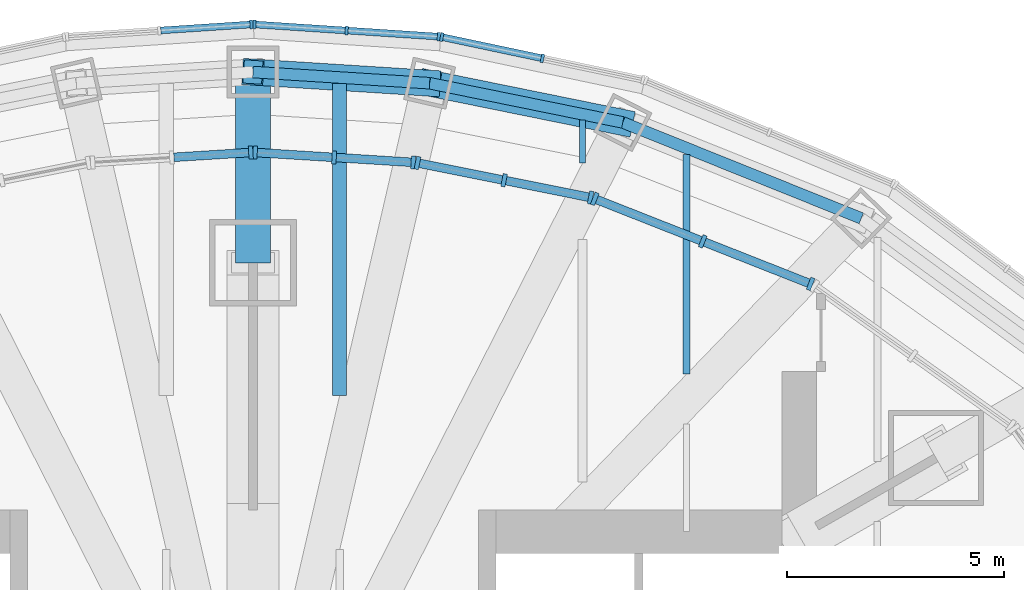
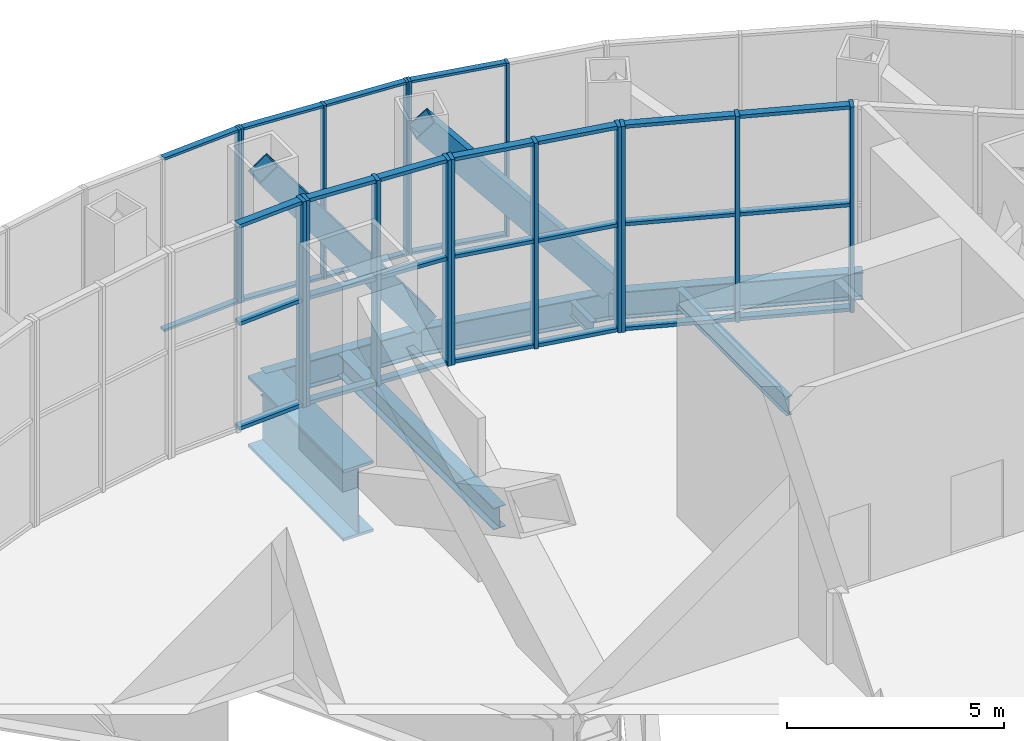
# One storey, part 11 of 21: 47 members, 7 beams, 7 elements without a shape of their own.
"""IFC4 building model written with IfcOpenShell, lengths in metres."""

from ifc_helpers import new_model, si_unit, direction, frame, origin, origin_2d, place, context, subcontext, project, spatial, rectangle, hollow_rectangle, i_section, extrude, material, material_profile, profile_set, type_object, element, aggregate, save


model = new_model("IFC4")

# Units and contexts
model_context = context("Model", 3, precision=1e-05, world=origin(), true_north=direction((0.0, 1.0)))
body_context = subcontext(model_context, "Body", "Model", "MODEL_VIEW")
ifc_project = project(units=[si_unit("LENGTHUNIT", "METRE"), si_unit("AREAUNIT", "SQUARE_METRE"), si_unit("VOLUMEUNIT", "CUBIC_METRE"), si_unit("PLANEANGLEUNIT", "RADIAN"), si_unit("MASSUNIT", "GRAM", prefix="KILO")], contexts=[model_context])

# Site, building, storey
site_placement = place(None, origin())
site = spatial("IfcSite", under=ifc_project, at=site_placement, CompositionType="ELEMENT")
building_placement = place(site_placement, origin())
building = spatial("IfcBuilding", under=site, at=building_placement, Name="Lantaw Convention Tower", CompositionType="ELEMENT")
storey_placement = place(building_placement, frame((0.0, 0.0, 284.39990234375)))
storey = spatial("IfcBuildingStorey", under=building, at=storey_placement, Name="L66", CompositionType="ELEMENT", Elevation=284.39990234375)

# Beams
ifc_material_1 = material(Name="Steel ASTM A992", Category="steel")
ifc_material_profile_1 = material_profile(ifc_material_1, i_section(OverallWidth=0.2666015625, OverallDepth=0.76953125, WebThickness=0.015625, FlangeThickness=0.025390625, FilletRadius=0.0126953125, at=origin_2d()), Name="W30X132")
ifc_profile_set_1 = profile_set([ifc_material_profile_1], Name="Steel ASTM A992")
beam_type_1 = type_object("IfcBeamType", Name="Beam E W30X132", PredefinedType="SPANDREL", material=ifc_profile_set_1)
beam_1_placement = place(storey_placement, frame((14.027587890625, 14.526123046875, -0.584716796875), z_axis=(-0.927779110974, 0.373129898615, 0.0), x_axis=(-0.373129898615, -0.927779110974, 0.0)))
element("IfcBeam", 1, at=beam_1_placement, inside=storey, type_object=beam_type_1, Name="Edge beam 4", PredefinedType="SPANDREL", context=body_context, shape_type="SweptSolid", body=[
    extrude(i_section(OverallWidth=0.2666015625, OverallDepth=0.76953125, WebThickness=0.015625, FlangeThickness=0.025390625, FilletRadius=0.0126953125, at=origin_2d()), origin(), (0.0, 0.0, 1.0), 5.92724609375),
])
beam_2_placement = place(storey_placement, frame((8.5283203125, 16.73779296875, -0.584716796875), z_axis=(-0.980006466425, 0.198965639657, 0.0), x_axis=(-0.198965639657, -0.980006466425, 0.0)))
element("IfcBeam", 2, at=beam_2_placement, inside=storey, type_object=beam_type_1, Name="Edge beam 5", PredefinedType="SPANDREL", context=body_context, shape_type="SweptSolid", body=[
    extrude(i_section(OverallWidth=0.2666015625, OverallDepth=0.76953125, WebThickness=0.015625, FlangeThickness=0.025390625, FilletRadius=0.0126953125, at=origin_2d()), origin(), (0.0, 0.0, 1.0), 4.546142578125),
])
beam_3_placement = place(storey_placement, frame((4.072998046875, 17.642333984375, -0.584716796875), z_axis=(-0.998006453216, 0.063111958769, 0.0), x_axis=(-0.063111958769, -0.998006453216, 0.0)))
element("IfcBeam", 3, at=beam_3_placement, inside=storey, type_object=beam_type_1, Name="Edge beam 6", PredefinedType="SPANDREL", context=body_context, shape_type="SweptSolid", body=[
    extrude(i_section(OverallWidth=0.2666015625, OverallDepth=0.76953125, WebThickness=0.015625, FlangeThickness=0.025390625, FilletRadius=0.0126953125, at=origin_2d()), origin(), (0.0, 0.0, 1.0), 4.0810546875),
])
ifc_material_2 = material(Name="Steel ASTM A572 Grade 50", Category="steel")
ifc_material_profile_2 = material_profile(ifc_material_2, i_section(OverallWidth=0.800048828125, OverallDepth=2.0, WebThickness=0.030029296875, FlangeThickness=0.080078125, at=origin_2d()), Name="PG2000X800X30X80")
ifc_profile_set_2 = profile_set([ifc_material_profile_2], Name="Steel ASTM A572 Grade 50")
beam_type_2 = type_object("IfcBeamType", Name="Beam HG PG2000X800X30X80", PredefinedType="BEAM", material=ifc_profile_set_2)
beam_4_placement = place(storey_placement, frame((0.0, 13.5, -1.199951171875), z_axis=(0.0, 1.0, 0.0), x_axis=(-1.0, 0.0, 0.0)))
element("IfcBeam", 4, at=beam_4_placement, inside=storey, type_object=beam_type_2, Name="Floor girder on ray 7", PredefinedType="BEAM", context=body_context, shape_type="SweptSolid", body=[
    extrude(i_section(OverallWidth=0.800048828125, OverallDepth=2.0, WebThickness=0.030029296875, FlangeThickness=0.080078125, at=origin_2d()), origin(), (0.0, 0.0, 1.0), 4.39990234375),
])
ifc_material_profile_3 = material_profile(ifc_material_1, i_section(OverallWidth=0.140380859375, OverallDepth=0.40380859375, WebThickness=0.007080078125, FlangeThickness=0.01123046875, FilletRadius=0.01025390625, at=origin_2d()), Name="W16X31")
ifc_profile_set_3 = profile_set([ifc_material_profile_3], Name="Steel ASTM A992")
beam_type_3 = type_object("IfcBeamType", Name="Beam J W16X31", PredefinedType="JOIST", material=ifc_profile_set_3)
beam_5_placement = place(storey_placement, frame((7.60009765625, 15.796875, -0.40185546875), z_axis=(0.0, 1.0, 0.0), x_axis=(-1.0, 0.0, 0.0)))
element("IfcBeam", 5, at=beam_5_placement, inside=storey, type_object=beam_type_3, Name="Floor joist", PredefinedType="JOIST", context=body_context, shape_type="SweptSolid", body=[
    extrude(i_section(OverallWidth=0.140380859375, OverallDepth=0.40380859375, WebThickness=0.007080078125, FlangeThickness=0.01123046875, FilletRadius=0.01025390625, at=origin_2d()), origin(), (0.0, 0.0, 1.0), 0.993408203125),
])
ifc_material_profile_4 = material_profile(ifc_material_1, i_section(OverallWidth=0.1650390625, OverallDepth=0.52587890625, WebThickness=0.0087890625, FlangeThickness=0.011474609375, FilletRadius=0.0126953125, at=origin_2d()), Name="W21X44")
ifc_profile_set_4 = profile_set([ifc_material_profile_4], Name="Steel ASTM A992")
beam_type_4 = type_object("IfcBeamType", Name="Beam J W21X44", PredefinedType="JOIST", material=ifc_profile_set_4)
beam_6_placement = place(storey_placement, frame((10.0, 10.93115234375, -0.462890625), z_axis=(0.0, 1.0, 0.0), x_axis=(-1.0, 0.0, 0.0)))
element("IfcBeam", 6, at=beam_6_placement, inside=storey, type_object=beam_type_4, Name="Floor joist", PredefinedType="JOIST", context=body_context, shape_type="SweptSolid", body=[
    extrude(i_section(OverallWidth=0.1650390625, OverallDepth=0.52587890625, WebThickness=0.0087890625, FlangeThickness=0.011474609375, FilletRadius=0.0126953125, at=origin_2d()), origin(), (0.0, 0.0, 1.0), 5.071044921875),
])
ifc_material_profile_5 = material_profile(ifc_material_1, i_section(OverallWidth=0.3251953125, OverallDepth=0.612060546875, WebThickness=0.0126953125, FlangeThickness=0.01904296875, FilletRadius=0.0126953125, at=origin_2d()), Name="W24X104")
ifc_profile_set_5 = profile_set([ifc_material_profile_5], Name="Steel ASTM A992")
beam_type_5 = type_object("IfcBeamType", Name="Beam J W24X104", PredefinedType="JOIST", material=ifc_profile_set_5)
beam_7_placement = place(storey_placement, frame((2.0, 10.441162109375, -0.505859375), z_axis=(0.0, 1.0, 0.0), x_axis=(-1.0, 0.0, 0.0)))
element("IfcBeam", 7, at=beam_7_placement, inside=storey, type_object=beam_type_5, Name="Floor joist", PredefinedType="JOIST", context=body_context, shape_type="SweptSolid", body=[
    extrude(i_section(OverallWidth=0.3251953125, OverallDepth=0.612060546875, WebThickness=0.0126953125, FlangeThickness=0.01904296875, FilletRadius=0.0126953125, at=origin_2d()), origin(), (0.0, 0.0, 1.0), 7.19873046875),
])

# Curtain wall, members
ifc_material_3 = material(Name="Aluminium framed curtain wall", Category="aluminium")
curtain_wall_type_1 = type_object("IfcCurtainWallType", Name="LANTERN glazing curtain wall, pale aluminium", PredefinedType="USERDEFINED", material=ifc_material_3)
curtain_wall_1_placement = place(storey_placement, origin())
curtain_wall_1 = element("IfcCurtainWall", 8, at=curtain_wall_1_placement, inside=storey, type_object=curtain_wall_type_1, Name="LANTERN glazing curtain wall, pale aluminium L66", ObjectType="LANTERN GLAZING", PredefinedType="USERDEFINED")
ifc_material_4 = material(Name="Aluminium 6063-T6", Category="aluminium")
ifc_material_profile_6 = material_profile(ifc_material_4, rectangle(XDim=0.300048828125, YDim=0.10009765625, at=origin_2d()), Name="CW-LN mullion 100x300")
ifc_profile_set_6 = profile_set([ifc_material_profile_6], Name="Aluminium 6063-T6")
member_type_1 = type_object("IfcMemberType", Name="CW-LN mullion 100x300", PredefinedType="MULLION", material=ifc_profile_set_6)
member_1_placement = place(storey_placement, frame((12.859375, 13.013916015625, 0.0), z_axis=(0.0, 0.0, 1.0), x_axis=(-0.366801957358, -0.930299050885, 0.0)))
member_1 = element("IfcMember", 9, at=member_1_placement, type_object=member_type_1, Name="CW-LN mullion 1", PredefinedType="MULLION", context=body_context, shape_type="SweptSolid", body=[
    extrude(rectangle(XDim=0.300048828125, YDim=0.10009765625, at=origin_2d()), origin(), (0.0, 0.0, 1.0), 5.800048828125),
])
member_2_placement = place(storey_placement, frame((10.37109375, 13.994873046875, 0.0), z_axis=(0.0, 0.0, 1.0), x_axis=(-0.366801957358, -0.930299050885, 0.0)))
member_2 = element("IfcMember", 10, at=member_2_placement, type_object=member_type_1, Name="CW-LN mullion 2", PredefinedType="MULLION", context=body_context, shape_type="SweptSolid", body=[
    extrude(rectangle(XDim=0.300048828125, YDim=0.10009765625, at=origin_2d()), origin(), (0.0, 0.0, 1.0), 5.800048828125),
])
member_3_placement = place(storey_placement, frame((7.883056640625, 14.97607421875, 0.0), z_axis=(0.0, 0.0, 1.0), x_axis=(-0.366801957358, -0.930299050885, 0.0)))
member_3 = element("IfcMember", 11, at=member_3_placement, type_object=member_type_1, Name="CW-LN mullion 3", PredefinedType="MULLION", context=body_context, shape_type="SweptSolid", body=[
    extrude(rectangle(XDim=0.300048828125, YDim=0.10009765625, at=origin_2d()), origin(), (0.0, 0.0, 1.0), 5.800048828125),
])

curtain_wall_2_placement = place(storey_placement, origin())
curtain_wall_2 = element("IfcCurtainWall", 12, at=curtain_wall_2_placement, inside=storey, type_object=curtain_wall_type_1, Name="LANTERN glazing curtain wall, pale aluminium L66", ObjectType="LANTERN GLAZING", PredefinedType="USERDEFINED")
member_4_placement = place(storey_placement, frame((7.787353515625, 15.004150390625, 0.0), z_axis=(0.0, 0.0, 1.0), x_axis=(-0.196367228305, -0.980530423622, 0.0)))
member_4 = element("IfcMember", 13, at=member_4_placement, type_object=member_type_1, Name="CW-LN mullion 1", PredefinedType="MULLION", context=body_context, shape_type="SweptSolid", body=[
    extrude(rectangle(XDim=0.300048828125, YDim=0.10009765625, at=origin_2d()), origin(), (0.0, 0.0, 1.0), 5.800048828125),
])
member_5_placement = place(storey_placement, frame((5.791015625, 15.404052734375, 0.0), z_axis=(0.0, 0.0, 1.0), x_axis=(-0.196367228305, -0.980530423622, 0.0)))
member_5 = element("IfcMember", 14, at=member_5_placement, type_object=member_type_1, Name="CW-LN mullion 2", PredefinedType="MULLION", context=body_context, shape_type="SweptSolid", body=[
    extrude(rectangle(XDim=0.300048828125, YDim=0.10009765625, at=origin_2d()), origin(), (0.0, 0.0, 1.0), 5.800048828125),
])
member_6_placement = place(storey_placement, frame((3.79443359375, 15.8037109375, 0.0), z_axis=(0.0, 0.0, 1.0), x_axis=(-0.196367228305, -0.980530423622, 0.0)))
member_6 = element("IfcMember", 15, at=member_6_placement, type_object=member_type_1, Name="CW-LN mullion 3", PredefinedType="MULLION", context=body_context, shape_type="SweptSolid", body=[
    extrude(rectangle(XDim=0.300048828125, YDim=0.10009765625, at=origin_2d()), origin(), (0.0, 0.0, 1.0), 5.800048828125),
])

curtain_wall_3_placement = place(storey_placement, origin())
curtain_wall_3 = element("IfcCurtainWall", 16, at=curtain_wall_3_placement, inside=storey, type_object=curtain_wall_type_1, Name="LANTERN glazing curtain wall, pale aluminium L66", ObjectType="LANTERN GLAZING", PredefinedType="USERDEFINED")
member_7_placement = place(storey_placement, frame((3.6953125, 15.816650390625, 0.0), z_axis=(0.0, 0.0, 1.0), x_axis=(-0.062488626454, -0.998045676091, 0.0)))
member_7 = element("IfcMember", 17, at=member_7_placement, type_object=member_type_1, Name="CW-LN mullion 1", PredefinedType="MULLION", context=body_context, shape_type="SweptSolid", body=[
    extrude(rectangle(XDim=0.300048828125, YDim=0.10009765625, at=origin_2d()), origin(), (0.0, 0.0, 1.0), 5.800048828125),
])
member_8_placement = place(storey_placement, frame((1.87255859375, 15.930908203125, 0.0), z_axis=(0.0, 0.0, 1.0), x_axis=(-0.062488626454, -0.998045676091, 0.0)))
member_8 = element("IfcMember", 18, at=member_8_placement, type_object=member_type_1, Name="CW-LN mullion 2", PredefinedType="MULLION", context=body_context, shape_type="SweptSolid", body=[
    extrude(rectangle(XDim=0.300048828125, YDim=0.10009765625, at=origin_2d()), origin(), (0.0, 0.0, 1.0), 5.800048828125),
])
member_9_placement = place(storey_placement, frame((0.0498046875, 16.044921875, 0.0), z_axis=(0.0, 0.0, 1.0), x_axis=(-0.062488626454, -0.998045676091, 0.0)))
member_9 = element("IfcMember", 19, at=member_9_placement, type_object=member_type_1, Name="CW-LN mullion 3", PredefinedType="MULLION", context=body_context, shape_type="SweptSolid", body=[
    extrude(rectangle(XDim=0.300048828125, YDim=0.10009765625, at=origin_2d()), origin(), (0.0, 0.0, 1.0), 5.800048828125),
])

# Curtain wall, member
curtain_wall_4_placement = place(storey_placement, origin())
curtain_wall_4 = element("IfcCurtainWall", 20, at=curtain_wall_4_placement, inside=storey, type_object=curtain_wall_type_1, Name="LANTERN glazing curtain wall, pale aluminium L66", ObjectType="LANTERN GLAZING", PredefinedType="USERDEFINED")
member_10_placement = place(storey_placement, frame((-0.0498046875, 16.044921875, 0.0), z_axis=(0.0, 0.0, 1.0), x_axis=(0.062488626454, -0.998045676091, 0.0)))
member_10 = element("IfcMember", 21, at=member_10_placement, type_object=member_type_1, Name="CW-LN mullion 1", PredefinedType="MULLION", context=body_context, shape_type="SweptSolid", body=[
    extrude(rectangle(XDim=0.300048828125, YDim=0.10009765625, at=origin_2d()), origin(), (0.0, 0.0, 1.0), 5.800048828125),
])

# Member
ifc_material_profile_7 = material_profile(ifc_material_4, rectangle(XDim=0.199951171875, YDim=0.10009765625, at=origin_2d()), Name="CW-LN transom 100x200")
ifc_profile_set_7 = profile_set([ifc_material_profile_7], Name="Aluminium 6063-T6")
member_type_2 = type_object("IfcMemberType", Name="CW-LN transom 100x200", PredefinedType="USERDEFINED", material=ifc_profile_set_7)
member_11_placement = place(storey_placement, frame((12.812744140625, 13.0322265625, 0.050048828125), z_axis=(-0.930296632408, 0.366808091147, 0.0), x_axis=(-0.366808091147, -0.930296632408, 0.0)))
member_11 = element("IfcMember", 22, at=member_11_placement, type_object=member_type_2, Name="CW-LN transom 1.1", ObjectType="TRANSOM", PredefinedType="USERDEFINED", context=body_context, shape_type="SweptSolid", body=[
    extrude(rectangle(XDim=0.199951171875, YDim=0.10009765625, at=origin_2d()), origin(), (0.0, 0.0, 1.0), 2.574462890625),
])

member_12_placement = place(storey_placement, frame((12.812744140625, 13.0322265625, 3.0), z_axis=(-0.930296632408, 0.366808091147, 0.0), x_axis=(-0.366808091147, -0.930296632408, 0.0)))
member_12 = element("IfcMember", 23, at=member_12_placement, type_object=member_type_2, Name="CW-LN transom 1.2", ObjectType="TRANSOM", PredefinedType="USERDEFINED", context=body_context, shape_type="SweptSolid", body=[
    extrude(rectangle(XDim=0.199951171875, YDim=0.10009765625, at=origin_2d()), origin(), (0.0, 0.0, 1.0), 2.574462890625),
])

member_13_placement = place(storey_placement, frame((12.812744140625, 13.0322265625, 5.75), z_axis=(-0.930296632408, 0.366808091147, 0.0), x_axis=(-0.366808091147, -0.930296632408, 0.0)))
member_13 = element("IfcMember", 24, at=member_13_placement, type_object=member_type_2, Name="CW-LN transom 1.3", ObjectType="TRANSOM", PredefinedType="USERDEFINED", context=body_context, shape_type="SweptSolid", body=[
    extrude(rectangle(XDim=0.199951171875, YDim=0.10009765625, at=origin_2d()), origin(), (0.0, 0.0, 1.0), 2.574462890625),
])

member_14_placement = place(storey_placement, frame((10.32470703125, 14.01318359375, 0.050048828125), z_axis=(-0.930309390119, 0.366775733461, 0.0), x_axis=(-0.366775733461, -0.930309390119, 0.0)))
member_14 = element("IfcMember", 25, at=member_14_placement, type_object=member_type_2, Name="CW-LN transom 2.1", ObjectType="TRANSOM", PredefinedType="USERDEFINED", context=body_context, shape_type="SweptSolid", body=[
    extrude(rectangle(XDim=0.199951171875, YDim=0.10009765625, at=origin_2d()), origin(), (0.0, 0.0, 1.0), 2.57470703125),
])

member_15_placement = place(storey_placement, frame((10.32470703125, 14.01318359375, 3.0), z_axis=(-0.930309390119, 0.366775733461, 0.0), x_axis=(-0.366775733461, -0.930309390119, 0.0)))
member_15 = element("IfcMember", 26, at=member_15_placement, type_object=member_type_2, Name="CW-LN transom 2.2", ObjectType="TRANSOM", PredefinedType="USERDEFINED", context=body_context, shape_type="SweptSolid", body=[
    extrude(rectangle(XDim=0.199951171875, YDim=0.10009765625, at=origin_2d()), origin(), (0.0, 0.0, 1.0), 2.57470703125),
])

member_16_placement = place(storey_placement, frame((10.32470703125, 14.01318359375, 5.75), z_axis=(-0.930309390119, 0.366775733461, 0.0), x_axis=(-0.366775733461, -0.930309390119, 0.0)))
member_16 = element("IfcMember", 27, at=member_16_placement, type_object=member_type_2, Name="CW-LN transom 2.3", ObjectType="TRANSOM", PredefinedType="USERDEFINED", context=body_context, shape_type="SweptSolid", body=[
    extrude(rectangle(XDim=0.199951171875, YDim=0.10009765625, at=origin_2d()), origin(), (0.0, 0.0, 1.0), 2.57470703125),
])

aggregate(curtain_wall_1, [member_1, member_2, member_3, member_11, member_12, member_13, member_14, member_15, member_16])

member_17_placement = place(storey_placement, frame((7.738525390625, 15.013916015625, 0.050048828125), z_axis=(-0.980541861959, 0.196310104034, 0.0), x_axis=(-0.196310104034, -0.980541861959, 0.0)))
member_17 = element("IfcMember", 28, at=member_17_placement, type_object=member_type_2, Name="CW-LN transom 1.1", ObjectType="TRANSOM", PredefinedType="USERDEFINED", context=body_context, shape_type="SweptSolid", body=[
    extrude(rectangle(XDim=0.199951171875, YDim=0.10009765625, at=origin_2d()), origin(), (0.0, 0.0, 1.0), 1.936279296875),
])

member_18_placement = place(storey_placement, frame((7.738525390625, 15.013916015625, 3.0), z_axis=(-0.980541861959, 0.196310104034, 0.0), x_axis=(-0.196310104034, -0.980541861959, 0.0)))
member_18 = element("IfcMember", 29, at=member_18_placement, type_object=member_type_2, Name="CW-LN transom 1.2", ObjectType="TRANSOM", PredefinedType="USERDEFINED", context=body_context, shape_type="SweptSolid", body=[
    extrude(rectangle(XDim=0.199951171875, YDim=0.10009765625, at=origin_2d()), origin(), (0.0, 0.0, 1.0), 1.936279296875),
])

member_19_placement = place(storey_placement, frame((7.738525390625, 15.013916015625, 5.75), z_axis=(-0.980541861959, 0.196310104034, 0.0), x_axis=(-0.196310104034, -0.980541861959, 0.0)))
member_19 = element("IfcMember", 30, at=member_19_placement, type_object=member_type_2, Name="CW-LN transom 1.3", ObjectType="TRANSOM", PredefinedType="USERDEFINED", context=body_context, shape_type="SweptSolid", body=[
    extrude(rectangle(XDim=0.199951171875, YDim=0.10009765625, at=origin_2d()), origin(), (0.0, 0.0, 1.0), 1.936279296875),
])

member_20_placement = place(storey_placement, frame((5.741943359375, 15.413818359375, 0.050048828125), z_axis=(-0.980541861959, 0.196310104034, 0.0), x_axis=(-0.196310104034, -0.980541861959, 0.0)))
member_20 = element("IfcMember", 31, at=member_20_placement, type_object=member_type_2, Name="CW-LN transom 2.1", ObjectType="TRANSOM", PredefinedType="USERDEFINED", context=body_context, shape_type="SweptSolid", body=[
    extrude(rectangle(XDim=0.199951171875, YDim=0.10009765625, at=origin_2d()), origin(), (0.0, 0.0, 1.0), 1.936279296875),
])

member_21_placement = place(storey_placement, frame((5.741943359375, 15.413818359375, 3.0), z_axis=(-0.980541861959, 0.196310104034, 0.0), x_axis=(-0.196310104034, -0.980541861959, 0.0)))
member_21 = element("IfcMember", 32, at=member_21_placement, type_object=member_type_2, Name="CW-LN transom 2.2", ObjectType="TRANSOM", PredefinedType="USERDEFINED", context=body_context, shape_type="SweptSolid", body=[
    extrude(rectangle(XDim=0.199951171875, YDim=0.10009765625, at=origin_2d()), origin(), (0.0, 0.0, 1.0), 1.936279296875),
])

member_22_placement = place(storey_placement, frame((5.741943359375, 15.413818359375, 5.75), z_axis=(-0.980541861959, 0.196310104034, 0.0), x_axis=(-0.196310104034, -0.980541861959, 0.0)))
member_22 = element("IfcMember", 33, at=member_22_placement, type_object=member_type_2, Name="CW-LN transom 2.3", ObjectType="TRANSOM", PredefinedType="USERDEFINED", context=body_context, shape_type="SweptSolid", body=[
    extrude(rectangle(XDim=0.199951171875, YDim=0.10009765625, at=origin_2d()), origin(), (0.0, 0.0, 1.0), 1.936279296875),
])

aggregate(curtain_wall_2, [member_4, member_5, member_6, member_17, member_18, member_19, member_20, member_21, member_22])

member_23_placement = place(storey_placement, frame((3.6455078125, 15.81982421875, 0.050048828125), z_axis=(-0.9980443153, 0.062510356719, 0.0), x_axis=(-0.062510356719, -0.9980443153, 0.0)))
member_23 = element("IfcMember", 34, at=member_23_placement, type_object=member_type_2, Name="CW-LN transom 1.1", ObjectType="TRANSOM", PredefinedType="USERDEFINED", context=body_context, shape_type="SweptSolid", body=[
    extrude(rectangle(XDim=0.199951171875, YDim=0.10009765625, at=origin_2d()), origin(), (0.0, 0.0, 1.0), 1.726318359375),
])

member_24_placement = place(storey_placement, frame((3.6455078125, 15.81982421875, 3.0), z_axis=(-0.9980443153, 0.062510356719, 0.0), x_axis=(-0.062510356719, -0.9980443153, 0.0)))
member_24 = element("IfcMember", 35, at=member_24_placement, type_object=member_type_2, Name="CW-LN transom 1.2", ObjectType="TRANSOM", PredefinedType="USERDEFINED", context=body_context, shape_type="SweptSolid", body=[
    extrude(rectangle(XDim=0.199951171875, YDim=0.10009765625, at=origin_2d()), origin(), (0.0, 0.0, 1.0), 1.726318359375),
])

member_25_placement = place(storey_placement, frame((3.6455078125, 15.81982421875, 5.75), z_axis=(-0.9980443153, 0.062510356719, 0.0), x_axis=(-0.062510356719, -0.9980443153, 0.0)))
member_25 = element("IfcMember", 36, at=member_25_placement, type_object=member_type_2, Name="CW-LN transom 1.3", ObjectType="TRANSOM", PredefinedType="USERDEFINED", context=body_context, shape_type="SweptSolid", body=[
    extrude(rectangle(XDim=0.199951171875, YDim=0.10009765625, at=origin_2d()), origin(), (0.0, 0.0, 1.0), 1.726318359375),
])

member_26_placement = place(storey_placement, frame((1.82275390625, 15.93408203125, 0.050048828125), z_axis=(-0.9980443153, 0.062510356719, 0.0), x_axis=(-0.062510356719, -0.9980443153, 0.0)))
member_26 = element("IfcMember", 37, at=member_26_placement, type_object=member_type_2, Name="CW-LN transom 2.1", ObjectType="TRANSOM", PredefinedType="USERDEFINED", context=body_context, shape_type="SweptSolid", body=[
    extrude(rectangle(XDim=0.199951171875, YDim=0.10009765625, at=origin_2d()), origin(), (0.0, 0.0, 1.0), 1.726318359375),
])

member_27_placement = place(storey_placement, frame((1.82275390625, 15.93408203125, 3.0), z_axis=(-0.9980443153, 0.062510356719, 0.0), x_axis=(-0.062510356719, -0.9980443153, 0.0)))
member_27 = element("IfcMember", 38, at=member_27_placement, type_object=member_type_2, Name="CW-LN transom 2.2", ObjectType="TRANSOM", PredefinedType="USERDEFINED", context=body_context, shape_type="SweptSolid", body=[
    extrude(rectangle(XDim=0.199951171875, YDim=0.10009765625, at=origin_2d()), origin(), (0.0, 0.0, 1.0), 1.726318359375),
])

member_28_placement = place(storey_placement, frame((1.82275390625, 15.93408203125, 5.75), z_axis=(-0.9980443153, 0.062510356719, 0.0), x_axis=(-0.062510356719, -0.9980443153, 0.0)))
member_28 = element("IfcMember", 39, at=member_28_placement, type_object=member_type_2, Name="CW-LN transom 2.3", ObjectType="TRANSOM", PredefinedType="USERDEFINED", context=body_context, shape_type="SweptSolid", body=[
    extrude(rectangle(XDim=0.199951171875, YDim=0.10009765625, at=origin_2d()), origin(), (0.0, 0.0, 1.0), 1.726318359375),
])

aggregate(curtain_wall_3, [member_7, member_8, member_9, member_23, member_24, member_25, member_26, member_27, member_28])

member_29_placement = place(storey_placement, frame((-0.099853515625, 16.0419921875, 0.050048828125), z_axis=(-0.9980443153, -0.062510356719, 0.0), x_axis=(0.062510356719, -0.9980443153, 0.0)))
member_29 = element("IfcMember", 40, at=member_29_placement, type_object=member_type_2, Name="CW-LN transom 1.1", ObjectType="TRANSOM", PredefinedType="USERDEFINED", context=body_context, shape_type="SweptSolid", body=[
    extrude(rectangle(XDim=0.199951171875, YDim=0.10009765625, at=origin_2d()), origin(), (0.0, 0.0, 1.0), 1.726318359375),
])

member_30_placement = place(storey_placement, frame((-0.099853515625, 16.0419921875, 3.0), z_axis=(-0.9980443153, -0.062510356719, 0.0), x_axis=(0.062510356719, -0.9980443153, 0.0)))
member_30 = element("IfcMember", 41, at=member_30_placement, type_object=member_type_2, Name="CW-LN transom 1.2", ObjectType="TRANSOM", PredefinedType="USERDEFINED", context=body_context, shape_type="SweptSolid", body=[
    extrude(rectangle(XDim=0.199951171875, YDim=0.10009765625, at=origin_2d()), origin(), (0.0, 0.0, 1.0), 1.726318359375),
])

member_31_placement = place(storey_placement, frame((-0.099853515625, 16.0419921875, 5.75), z_axis=(-0.9980443153, -0.062510356719, 0.0), x_axis=(0.062510356719, -0.9980443153, 0.0)))
member_31 = element("IfcMember", 42, at=member_31_placement, type_object=member_type_2, Name="CW-LN transom 1.3", ObjectType="TRANSOM", PredefinedType="USERDEFINED", context=body_context, shape_type="SweptSolid", body=[
    extrude(rectangle(XDim=0.199951171875, YDim=0.10009765625, at=origin_2d()), origin(), (0.0, 0.0, 1.0), 1.726318359375),
])

aggregate(curtain_wall_4, [member_10, member_29, member_30, member_31])

# Curtain wall, members
curtain_wall_type_2 = type_object("IfcCurtainWallType", Name="Plant floor louvre wall, pale aluminium", PredefinedType="USERDEFINED", material=ifc_material_3)
curtain_wall_5_placement = place(storey_placement, origin())
curtain_wall_5 = element("IfcCurtainWall", 43, at=curtain_wall_5_placement, inside=storey, type_object=curtain_wall_type_2, Name="Plant floor louvre wall, pale aluminium L66", ObjectType="LOUVRE WALL", PredefinedType="USERDEFINED")
ifc_material_profile_8 = material_profile(ifc_material_4, rectangle(XDim=0.199951171875, YDim=0.070068359375, at=origin_2d()), Name="CW-LV mullion 70x200")
ifc_profile_set_8 = profile_set([ifc_material_profile_8], Name="Aluminium 6063-T6")
member_type_3 = type_object("IfcMemberType", Name="CW-LV mullion 70x200", PredefinedType="MULLION", material=ifc_profile_set_8)
member_32_placement = place(storey_placement, frame((6.674072265625, 18.216064453125, 1.10009765625), z_axis=(0.0, 0.0, 1.0), x_axis=(-0.207039911975, -0.978332497083, 0.0)))
member_32 = element("IfcMember", 44, at=member_32_placement, type_object=member_type_3, Name="CW-LV mullion 2", PredefinedType="MULLION", context=body_context, shape_type="SweptSolid", body=[
    extrude(rectangle(XDim=0.199951171875, YDim=0.070068359375, at=origin_2d()), origin(), (0.0, 0.0, 1.0), 4.89990234375),
])
member_33_placement = place(storey_placement, frame((4.354736328125, 18.706787109375, 1.10009765625), z_axis=(0.0, 0.0, 1.0), x_axis=(-0.207039911975, -0.978332497083, 0.0)))
member_33 = element("IfcMember", 45, at=member_33_placement, type_object=member_type_3, Name="CW-LV mullion 3", PredefinedType="MULLION", context=body_context, shape_type="SweptSolid", body=[
    extrude(rectangle(XDim=0.199951171875, YDim=0.070068359375, at=origin_2d()), origin(), (0.0, 0.0, 1.0), 4.89990234375),
])

curtain_wall_6_placement = place(storey_placement, origin())
curtain_wall_6 = element("IfcCurtainWall", 46, at=curtain_wall_6_placement, inside=storey, type_object=curtain_wall_type_2, Name="Plant floor louvre wall, pale aluminium L66", ObjectType="LOUVRE WALL", PredefinedType="USERDEFINED")
member_34_placement = place(storey_placement, frame((4.28564453125, 18.71630859375, 1.10009765625), z_axis=(0.0, 0.0, 1.0), x_axis=(-0.066024902273, -0.997817975525, 0.0)))
member_34 = element("IfcMember", 47, at=member_34_placement, type_object=member_type_3, Name="CW-LV mullion 1", PredefinedType="MULLION", context=body_context, shape_type="SweptSolid", body=[
    extrude(rectangle(XDim=0.199951171875, YDim=0.070068359375, at=origin_2d()), origin(), (0.0, 0.0, 1.0), 4.89990234375),
])
member_35_placement = place(storey_placement, frame((2.16015625, 18.857177734375, 1.10009765625), z_axis=(0.0, 0.0, 1.0), x_axis=(-0.066024902273, -0.997817975525, 0.0)))
member_35 = element("IfcMember", 48, at=member_35_placement, type_object=member_type_3, Name="CW-LV mullion 2", PredefinedType="MULLION", context=body_context, shape_type="SweptSolid", body=[
    extrude(rectangle(XDim=0.199951171875, YDim=0.070068359375, at=origin_2d()), origin(), (0.0, 0.0, 1.0), 4.89990234375),
])
member_36_placement = place(storey_placement, frame((0.034912109375, 18.997802734375, 1.10009765625), z_axis=(0.0, 0.0, 1.0), x_axis=(-0.066024902273, -0.997817975525, 0.0)))
member_36 = element("IfcMember", 49, at=member_36_placement, type_object=member_type_3, Name="CW-LV mullion 3", PredefinedType="MULLION", context=body_context, shape_type="SweptSolid", body=[
    extrude(rectangle(XDim=0.199951171875, YDim=0.070068359375, at=origin_2d()), origin(), (0.0, 0.0, 1.0), 4.89990234375),
])

# Curtain wall, member
curtain_wall_7_placement = place(storey_placement, origin())
curtain_wall_7 = element("IfcCurtainWall", 50, at=curtain_wall_7_placement, inside=storey, type_object=curtain_wall_type_2, Name="Plant floor louvre wall, pale aluminium L66", ObjectType="LOUVRE WALL", PredefinedType="USERDEFINED")
member_37_placement = place(storey_placement, frame((-0.034912109375, 18.997802734375, 1.10009765625), z_axis=(0.0, 0.0, 1.0), x_axis=(0.066024902273, -0.997817975525, 0.0)))
member_37 = element("IfcMember", 51, at=member_37_placement, type_object=member_type_3, Name="CW-LV mullion 1", PredefinedType="MULLION", context=body_context, shape_type="SweptSolid", body=[
    extrude(rectangle(XDim=0.199951171875, YDim=0.070068359375, at=origin_2d()), origin(), (0.0, 0.0, 1.0), 4.89990234375),
])

# Member
ifc_material_profile_9 = material_profile(ifc_material_4, rectangle(XDim=0.159912109375, YDim=0.070068359375, at=origin_2d()), Name="CW-LV transom 70x160")
ifc_profile_set_9 = profile_set([ifc_material_profile_9], Name="Aluminium 6063-T6")
member_type_4 = type_object("IfcMemberType", Name="CW-LV transom 70x160", PredefinedType="USERDEFINED", material=ifc_profile_set_9)
member_38_placement = place(storey_placement, frame((6.639892578125, 18.223388671875, 1.135009765625), z_axis=(-0.978336479598, 0.207021092375, 0.0), x_axis=(-0.207021092375, -0.978336479598, 0.0)))
member_38 = element("IfcMember", 52, at=member_38_placement, type_object=member_type_4, Name="CW-LV transom 2.1", ObjectType="TRANSOM", PredefinedType="USERDEFINED", context=body_context, shape_type="SweptSolid", body=[
    extrude(rectangle(XDim=0.159912109375, YDim=0.070068359375, at=origin_2d()), origin(), (0.0, 0.0, 1.0), 2.30078125),
])

member_39_placement = place(storey_placement, frame((6.639892578125, 18.223388671875, 5.965087890625), z_axis=(-0.978336479598, 0.207021092375, 0.0), x_axis=(-0.207021092375, -0.978336479598, 0.0)))
member_39 = element("IfcMember", 53, at=member_39_placement, type_object=member_type_4, Name="CW-LV transom 2.2", ObjectType="TRANSOM", PredefinedType="USERDEFINED", context=body_context, shape_type="SweptSolid", body=[
    extrude(rectangle(XDim=0.159912109375, YDim=0.070068359375, at=origin_2d()), origin(), (0.0, 0.0, 1.0), 2.30078125),
])

aggregate(curtain_wall_5, [member_32, member_33, member_38, member_39])

member_40_placement = place(storey_placement, frame((4.250732421875, 18.71875, 1.135009765625), z_axis=(-0.997819110413, 0.066007748753, 0.0), x_axis=(-0.066007748753, -0.997819110413, 0.0)))
member_40 = element("IfcMember", 54, at=member_40_placement, type_object=member_type_4, Name="CW-LV transom 1.1", ObjectType="TRANSOM", PredefinedType="USERDEFINED", context=body_context, shape_type="SweptSolid", body=[
    extrude(rectangle(XDim=0.159912109375, YDim=0.070068359375, at=origin_2d()), origin(), (0.0, 0.0, 1.0), 2.06005859375),
])

member_41_placement = place(storey_placement, frame((4.250732421875, 18.71875, 5.965087890625), z_axis=(-0.997819110413, 0.066007748753, 0.0), x_axis=(-0.066007748753, -0.997819110413, 0.0)))
member_41 = element("IfcMember", 55, at=member_41_placement, type_object=member_type_4, Name="CW-LV transom 1.2", ObjectType="TRANSOM", PredefinedType="USERDEFINED", context=body_context, shape_type="SweptSolid", body=[
    extrude(rectangle(XDim=0.159912109375, YDim=0.070068359375, at=origin_2d()), origin(), (0.0, 0.0, 1.0), 2.06005859375),
])

member_42_placement = place(storey_placement, frame((2.125244140625, 18.859375, 1.135009765625), z_axis=(-0.997818593988, 0.066015554918, 0.0), x_axis=(-0.066015554918, -0.997818593988, 0.0)))
member_42 = element("IfcMember", 56, at=member_42_placement, type_object=member_type_4, Name="CW-LV transom 2.1", ObjectType="TRANSOM", PredefinedType="USERDEFINED", context=body_context, shape_type="SweptSolid", body=[
    extrude(rectangle(XDim=0.159912109375, YDim=0.070068359375, at=origin_2d()), origin(), (0.0, 0.0, 1.0), 2.059814453125),
])

member_43_placement = place(storey_placement, frame((2.125244140625, 18.859375, 5.965087890625), z_axis=(-0.997818593988, 0.066015554918, 0.0), x_axis=(-0.066015554918, -0.997818593988, 0.0)))
member_43 = element("IfcMember", 57, at=member_43_placement, type_object=member_type_4, Name="CW-LV transom 2.2", ObjectType="TRANSOM", PredefinedType="USERDEFINED", context=body_context, shape_type="SweptSolid", body=[
    extrude(rectangle(XDim=0.159912109375, YDim=0.070068359375, at=origin_2d()), origin(), (0.0, 0.0, 1.0), 2.059814453125),
])

aggregate(curtain_wall_6, [member_34, member_35, member_36, member_40, member_41, member_42, member_43])

member_44_placement = place(storey_placement, frame((-0.06982421875, 18.995361328125, 1.135009765625), z_axis=(-0.997818593988, -0.066015554918, 0.0), x_axis=(0.066015554918, -0.997818593988, 0.0)))
member_44 = element("IfcMember", 58, at=member_44_placement, type_object=member_type_4, Name="CW-LV transom 1.1", ObjectType="TRANSOM", PredefinedType="USERDEFINED", context=body_context, shape_type="SweptSolid", body=[
    extrude(rectangle(XDim=0.159912109375, YDim=0.070068359375, at=origin_2d()), origin(), (0.0, 0.0, 1.0), 2.059814453125),
])

member_45_placement = place(storey_placement, frame((-0.06982421875, 18.995361328125, 5.965087890625), z_axis=(-0.997818593988, -0.066015554918, 0.0), x_axis=(0.066015554918, -0.997818593988, 0.0)))
member_45 = element("IfcMember", 59, at=member_45_placement, type_object=member_type_4, Name="CW-LV transom 1.2", ObjectType="TRANSOM", PredefinedType="USERDEFINED", context=body_context, shape_type="SweptSolid", body=[
    extrude(rectangle(XDim=0.159912109375, YDim=0.070068359375, at=origin_2d()), origin(), (0.0, 0.0, 1.0), 2.059814453125),
])

aggregate(curtain_wall_7, [member_37, member_44, member_45])

# Members
ifc_material_profile_10 = material_profile(ifc_material_2, hollow_rectangle(XDim=0.60009765625, YDim=0.60009765625, WallThickness=0.031982421875, at=origin_2d()), Name="BOX600X32")
ifc_profile_set_10 = profile_set([ifc_material_profile_10], Name="Steel ASTM A572 Grade 50")
member_type_5 = type_object("IfcMemberType", Name="Member CR BOX600X32", PredefinedType="BRACE", material=ifc_profile_set_10)
member_46_placement = place(storey_placement, frame((8.5283203125, 16.73779296875, -0.005859375), z_axis=(-0.624371494169, 0.126762912263, 0.77077324898), x_axis=(-0.198965639657, -0.980006466425, 0.0)))
element("IfcMember", 60, at=member_46_placement, inside=storey, type_object=member_type_5, Name="Crown ring truss diagonal 5", PredefinedType="BRACE", context=body_context, shape_type="SweptSolid", body=[
    extrude(hollow_rectangle(XDim=0.60009765625, YDim=0.60009765625, WallThickness=0.031982421875, at=origin_2d()), origin(), (0.0, 0.0, 1.0), 7.1357421875),
])
member_47_placement = place(storey_placement, frame((4.072998046875, 17.642333984375, -0.005859375), z_axis=(-0.594705015881, 0.037607971693, 0.80306387327), x_axis=(-0.063111958769, -0.998006453216, 0.0)))
element("IfcMember", 61, at=member_47_placement, inside=storey, type_object=member_type_5, Name="Crown ring truss diagonal 6", PredefinedType="BRACE", context=body_context, shape_type="SweptSolid", body=[
    extrude(hollow_rectangle(XDim=0.60009765625, YDim=0.60009765625, WallThickness=0.031982421875, at=origin_2d()), origin(), (0.0, 0.0, 1.0), 6.848876953125),
])

save(model, "model.ifc")
